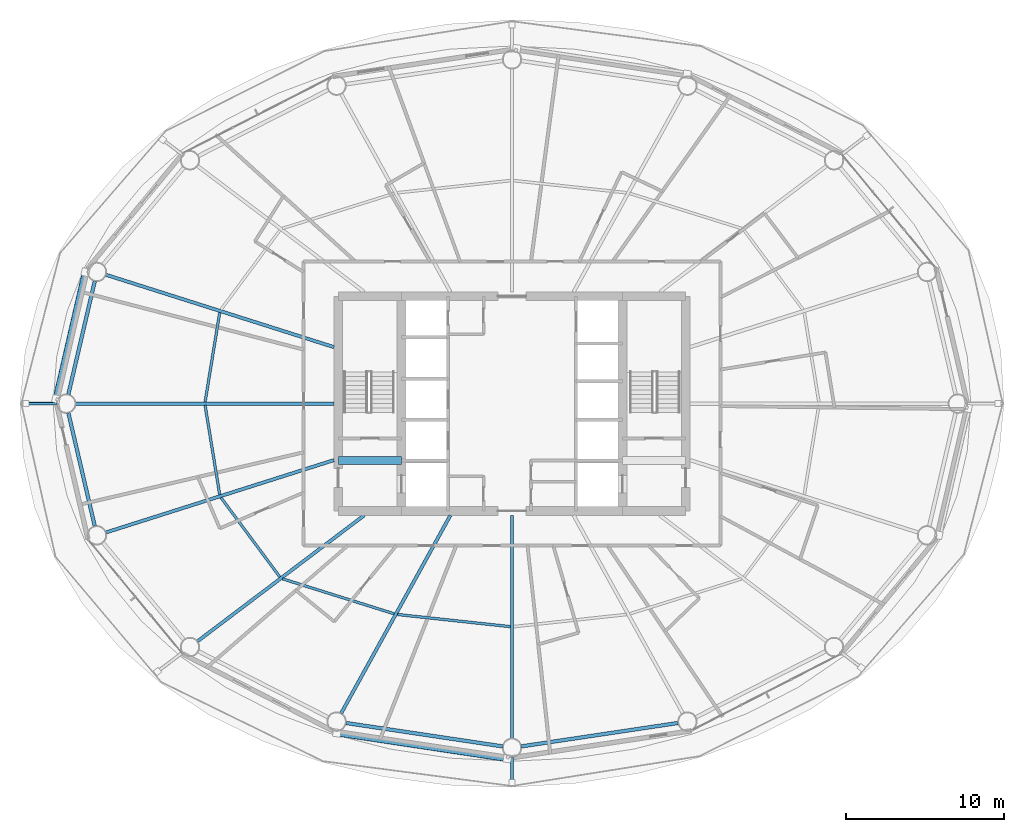
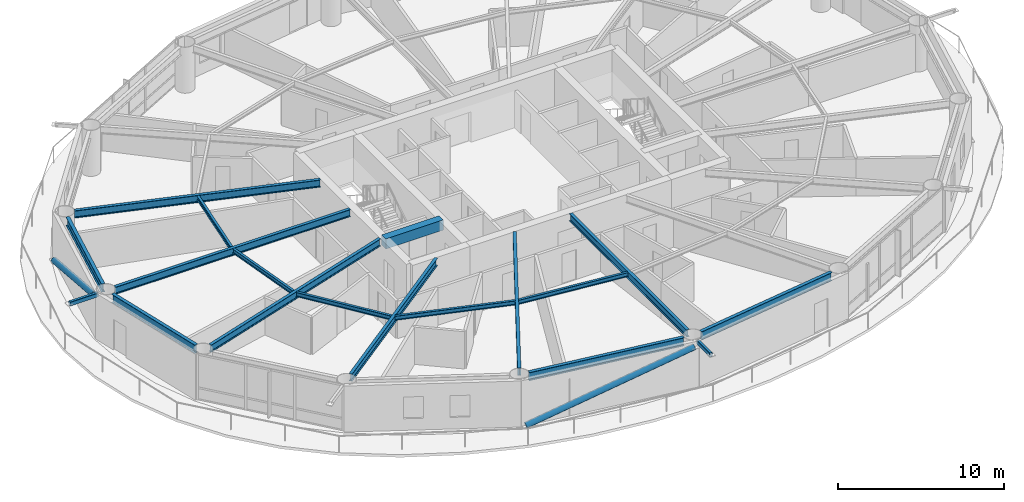
# One storey, part 3 of 24: 16 beams, 4 members.
"""IFC4 building model written with IfcOpenShell, lengths in metres."""

from ifc_helpers import new_model, si_unit, direction, frame, origin, origin_2d, place, context, subcontext, project, spatial, rectangle, hollow_rectangle, hollow_circle, i_section, extrude, material, material_profile, profile_set, type_object, element, save


model = new_model("IFC4")

# Units and contexts
model_context = context("Model", 3, precision=1e-05, world=origin(), true_north=direction((0.0, 1.0)))
body_context = subcontext(model_context, "Body", "Model", "MODEL_VIEW")
ifc_project = project(units=[si_unit("LENGTHUNIT", "METRE"), si_unit("AREAUNIT", "SQUARE_METRE"), si_unit("VOLUMEUNIT", "CUBIC_METRE"), si_unit("PLANEANGLEUNIT", "RADIAN"), si_unit("MASSUNIT", "GRAM", prefix="KILO")], contexts=[model_context])

# Site, building, storey
site_placement = place(None, origin())
site = spatial("IfcSite", under=ifc_project, at=site_placement, CompositionType="ELEMENT")
building_placement = place(site_placement, origin())
building = spatial("IfcBuilding", under=site, at=building_placement, Name="Sarneth Arch Tower", CompositionType="ELEMENT")
storey_placement = place(building_placement, frame((0.0, 0.0, 112.800048828125)))
storey = spatial("IfcBuildingStorey", under=building, at=storey_placement, Name="L28", CompositionType="ELEMENT", Elevation=112.800048828125)

# Beams
ifc_material_1 = material(Name="Steel S355", Category="steel")
ifc_material_profile_1 = material_profile(ifc_material_1, i_section(OverallWidth=0.1669921875, OverallDepth=0.31689453125, WebThickness=0.007568359375, FlangeThickness=0.01318359375, FilletRadius=0.012939453125, at=origin_2d()), Name="W310x52")
ifc_profile_set_1 = profile_set([ifc_material_profile_1], Name="Steel S355")
beam_type_1 = type_object("IfcBeamType", Name="BM-JOIST-310B", PredefinedType="JOIST", material=ifc_profile_set_1)
for number, where, z_axis, x_axis, name in (
    (1, (29.48583984375, 47.76513671875, 3.221435546875), (-0.16118181609, -0.986924729735, 0.0), (0.986924729735, -0.16118181609, 0.0), "L28 Secondary floor joist 08"),
    (2, (28.561279296875, 41.89599609375, 3.221435546875), (0.16118181609, -0.986924729735, 0.0), (0.986924729735, 0.16118181609, 0.0), "L28 Secondary floor joist 09"),
):
    element("IfcBeam", number, at=place(storey_placement, frame(where, z_axis=z_axis, x_axis=x_axis)), inside=storey, type_object=beam_type_1, Name=name, PredefinedType="JOIST", context=body_context, shape_type="SweptSolid", body=[
        extrude(i_section(OverallWidth=0.1669921875, OverallDepth=0.31689453125, WebThickness=0.007568359375, FlangeThickness=0.01318359375, FilletRadius=0.012939453125, at=origin_2d()), origin(), (0.0, 0.0, 1.0), 5.736083984375),
    ])
beam_1_placement = place(storey_placement, frame((29.565673828125, 36.0458984375, 3.221435546875), z_axis=(0.596098474255, -0.802911333206, 0.0), x_axis=(0.802911333206, 0.596098474255, 0.0)))
element("IfcBeam", 3, at=beam_1_placement, inside=storey, type_object=beam_type_1, Name="L28 Secondary floor joist 10", PredefinedType="JOIST", context=body_context, shape_type="SweptSolid", body=[
    extrude(i_section(OverallWidth=0.1669921875, OverallDepth=0.31689453125, WebThickness=0.007568359375, FlangeThickness=0.01318359375, FilletRadius=0.012939453125, at=origin_2d()), origin(), (0.0, 0.0, 1.0), 6.259033203125),
])
beam_2_placement = place(storey_placement, frame((33.460205078125, 30.904296875, 3.221435546875), z_axis=(0.954245982384, -0.299022750146, 0.0), x_axis=(0.299022750146, 0.954245982384, 0.0)))
element("IfcBeam", 4, at=beam_2_placement, inside=storey, type_object=beam_type_1, Name="L28 Secondary floor joist 11", PredefinedType="JOIST", context=body_context, shape_type="SweptSolid", body=[
    extrude(i_section(OverallWidth=0.1669921875, OverallDepth=0.31689453125, WebThickness=0.007568359375, FlangeThickness=0.01318359375, FilletRadius=0.012939453125, at=origin_2d()), origin(), (0.0, 0.0, 1.0), 7.416748046875),
])
beam_3_placement = place(storey_placement, frame((40.7431640625, 28.6435546875, 3.221435546875), z_axis=(0.994257420028, -0.107014871487, 0.0), x_axis=(0.107014871487, 0.994257420028, 0.0)))
element("IfcBeam", 5, at=beam_3_placement, inside=storey, type_object=beam_type_1, Name="L28 Secondary floor joist 12", PredefinedType="JOIST", context=body_context, shape_type="SweptSolid", body=[
    extrude(i_section(OverallWidth=0.1669921875, OverallDepth=0.31689453125, WebThickness=0.007568359375, FlangeThickness=0.01318359375, FilletRadius=0.012939453125, at=origin_2d()), origin(), (0.0, 0.0, 1.0), 7.193115234375),
])
ifc_material_2 = material(Name="Concrete C50/60", Category="concrete")
ifc_material_profile_2 = material_profile(ifc_material_2, rectangle(XDim=0.5, YDim=0.75, at=origin_2d()), Name="RC-500x750")
ifc_profile_set_2 = profile_set([ifc_material_profile_2], Name="Concrete C50/60")
beam_type_2 = type_object("IfcBeamType", Name="BM-LINTEL-RC", PredefinedType="LINTEL", material=ifc_profile_set_2)
beam_4_placement = place(storey_placement, frame((37.0, 38.39990234375, 3.0048828125), z_axis=(1.0, 0.0, 0.0), x_axis=(0.0, 1.0, 0.0)))
element("IfcBeam", 6, at=beam_4_placement, inside=storey, type_object=beam_type_2, Name="L28 Core coupling lintel W", PredefinedType="LINTEL", context=body_context, shape_type="SweptSolid", body=[
    extrude(rectangle(XDim=0.5, YDim=0.75, at=origin_2d()), origin(), (0.0, 0.0, 1.0), 4.0),
])
ifc_material_3 = material(Name="Steel S355", Category="steel")
ifc_material_profile_3 = material_profile(ifc_material_3, i_section(OverallWidth=0.2109375, OverallDepth=0.5390625, WebThickness=0.01171875, FlangeThickness=0.018798828125, FilletRadius=0.01806640625, at=origin_2d()), Name="W530x109")
ifc_profile_set_3 = profile_set([ifc_material_profile_3], Name="Steel S355")
beam_type_3 = type_object("IfcBeamType", Name="BM-RAD-530B", PredefinedType="BEAM", material=ifc_profile_set_3)
beam_5_placement = place(storey_placement, frame((36.72509765625, 45.57763671875, 3.1103515625), z_axis=(-0.953162461637, 0.302458793435, 0.0), x_axis=(-0.302458793435, -0.953162461637, 0.0)))
element("IfcBeam", 7, at=beam_5_placement, inside=storey, type_object=beam_type_3, Name="L28 Radial floor girder 08", PredefinedType="BEAM", context=body_context, shape_type="SweptSolid", body=[
    extrude(i_section(OverallWidth=0.2109375, OverallDepth=0.5390625, WebThickness=0.01171875, FlangeThickness=0.018798828125, FilletRadius=0.01806640625, at=origin_2d()), origin(), (0.0, 0.0, 1.0), 15.154052734375),
])
beam_6_placement = place(storey_placement, frame((36.72509765625, 42.0, 3.1103515625), z_axis=(-1.0, 0.0, 0.0), x_axis=(0.0, -1.0, 0.0)))
element("IfcBeam", 8, at=beam_6_placement, inside=storey, type_object=beam_type_3, Name="L28 Radial floor girder 09", PredefinedType="BEAM", context=body_context, shape_type="SweptSolid", body=[
    extrude(i_section(OverallWidth=0.2109375, OverallDepth=0.5390625, WebThickness=0.01171875, FlangeThickness=0.018798828125, FilletRadius=0.01806640625, at=origin_2d()), origin(), (0.0, 0.0, 1.0), 16.36181640625),
])
beam_7_placement = place(storey_placement, frame((36.72509765625, 38.42236328125, 3.1103515625), z_axis=(-0.953162461637, -0.302458793435, 0.0), x_axis=(0.302458793435, -0.953162461637, 0.0)))
element("IfcBeam", 9, at=beam_7_placement, inside=storey, type_object=beam_type_3, Name="L28 Radial floor girder 10", PredefinedType="BEAM", context=body_context, shape_type="SweptSolid", body=[
    extrude(i_section(OverallWidth=0.2109375, OverallDepth=0.5390625, WebThickness=0.01171875, FlangeThickness=0.018798828125, FilletRadius=0.01806640625, at=origin_2d()), origin(), (0.0, 0.0, 1.0), 15.154052734375),
])
beam_8_placement = place(storey_placement, frame((38.63818359375, 34.925048828125, 3.1103515625), z_axis=(-0.797802835234, -0.602918432371, 0.0), x_axis=(0.602918432371, -0.797802835234, 0.0)))
element("IfcBeam", 10, at=beam_8_placement, inside=storey, type_object=beam_type_3, Name="L28 Radial floor girder 11", PredefinedType="BEAM", context=body_context, shape_type="SweptSolid", body=[
    extrude(i_section(OverallWidth=0.2109375, OverallDepth=0.5390625, WebThickness=0.01171875, FlangeThickness=0.018798828125, FilletRadius=0.01806640625, at=origin_2d()), origin(), (0.0, 0.0, 1.0), 13.232666015625),
])
beam_9_placement = place(storey_placement, frame((44.09716796875, 34.925048828125, 3.1103515625), z_axis=(-0.483021011336, -0.875608761153, 0.0), x_axis=(0.875608761153, -0.483021011336, 0.0)))
element("IfcBeam", 11, at=beam_9_placement, inside=storey, type_object=beam_type_3, Name="L28 Radial floor girder 12", PredefinedType="BEAM", context=body_context, shape_type="SweptSolid", body=[
    extrude(i_section(OverallWidth=0.2109375, OverallDepth=0.5390625, WebThickness=0.01171875, FlangeThickness=0.018798828125, FilletRadius=0.01806640625, at=origin_2d()), origin(), (0.0, 0.0, 1.0), 14.32177734375),
])
beam_10_placement = place(storey_placement, frame((48.0, 34.925048828125, 3.1103515625), z_axis=(0.0, -1.0, 0.0), x_axis=(1.0, 0.0, 0.0)))
element("IfcBeam", 12, at=beam_10_placement, inside=storey, type_object=beam_type_3, Name="L28 Radial floor girder 13", PredefinedType="BEAM", context=body_context, shape_type="SweptSolid", body=[
    extrude(i_section(OverallWidth=0.2109375, OverallDepth=0.5390625, WebThickness=0.01171875, FlangeThickness=0.018798828125, FilletRadius=0.01806640625, at=origin_2d()), origin(), (0.0, 0.0, 1.0), 14.125),
])
ifc_material_4 = material(Name="Steel S355", Category="steel")
ifc_material_profile_4 = material_profile(ifc_material_4, i_section(OverallWidth=0.22900390625, OverallDepth=0.612060546875, WebThickness=0.011962890625, FlangeThickness=0.01953125, FilletRadius=0.01904296875, at=origin_2d()), Name="W610x125")
ifc_profile_set_4 = profile_set([ifc_material_profile_4], Name="Steel S355")
beam_type_4 = type_object("IfcBeamType", Name="BM-SPAN-610C", PredefinedType="SPANDREL", material=ifc_profile_set_4)
for number, where, z_axis, x_axis, name in (
    (13, (21.572509765625, 49.75830078125, 3.073974609375), (-0.227088175252, -0.973874201661, 0.0), (0.973874201661, -0.227088175252, 0.0), "L28 Perimeter spandrel beam 08"),
    (14, (19.899658203125, 41.415771484375, 3.073974609375), (0.227088175252, -0.973874201661, 0.0), (0.973874201661, 0.227088175252, 0.0), "L28 Perimeter spandrel beam 09"),
):
    element("IfcBeam", number, at=place(storey_placement, frame(where, z_axis=z_axis, x_axis=x_axis)), inside=storey, type_object=beam_type_4, Name=name, PredefinedType="SPANDREL", context=body_context, shape_type="SweptSolid", body=[
        extrude(i_section(OverallWidth=0.22900390625, OverallDepth=0.612060546875, WebThickness=0.011962890625, FlangeThickness=0.01953125, FilletRadius=0.01904296875, at=origin_2d()), origin(), (0.0, 0.0, 1.0), 7.366455078125),
    ])
for number, where, z_axis, x_axis, name in (
    (15, (37.483154296875, 21.770751953125, 3.073974609375), (0.989028613319, -0.147724073992, 0.0), (0.147724073992, 0.989028613319, 0.0), "L28 Perimeter spandrel beam 12"),
    (16, (48.593505859375, 20.28857421875, 3.073974609375), (0.989028613319, 0.147724073992, 0.0), (-0.147724073992, 0.989028613319, 0.0), "L28 Perimeter spandrel beam 13"),
):
    element("IfcBeam", number, at=place(storey_placement, frame(where, z_axis=z_axis, x_axis=x_axis)), inside=storey, type_object=beam_type_4, Name=name, PredefinedType="SPANDREL", context=body_context, shape_type="SweptSolid", body=[
        extrude(i_section(OverallWidth=0.22900390625, OverallDepth=0.612060546875, WebThickness=0.011962890625, FlangeThickness=0.01953125, FilletRadius=0.01904296875, at=origin_2d()), origin(), (0.0, 0.0, 1.0), 10.033447265625),
    ])

# Members
ifc_material_5 = material(Name="Steel S355", Category="steel")
ifc_material_profile_5 = material_profile(ifc_material_5, hollow_rectangle(XDim=0.199951171875, YDim=0.300048828125, WallThickness=0.012451171875, InnerFilletRadius=0.018798828125, OuterFilletRadius=0.03125, at=origin_2d()), Name="RHS300x200x12.5")
ifc_profile_set_5 = profile_set([ifc_material_profile_5], Name="Steel S355")
member_type_1 = type_object("IfcMemberType", Name="MEM-CANT-STRUT", PredefinedType="STRUT", material=ifc_profile_set_5)
member_1_placement = place(storey_placement, frame((19.163330078125, 42.0, 3.219970703125), z_axis=(-1.0, 0.0, 0.0), x_axis=(0.0, -1.0, 0.0)))
element("IfcMember", 17, at=member_1_placement, inside=storey, type_object=member_type_1, Name="L28 Balcony cantilever bracket 09", PredefinedType="STRUT", context=body_context, shape_type="SweptSolid", body=[
    extrude(hollow_rectangle(XDim=0.199951171875, YDim=0.300048828125, WallThickness=0.012451171875, InnerFilletRadius=0.018798828125, OuterFilletRadius=0.03125, at=origin_2d()), origin(), (0.0, 0.0, 1.0), 1.958984375),
])
member_2_placement = place(storey_placement, frame((48.0, 19.60009765625, 3.219970703125), z_axis=(0.0, -1.0, 0.0), x_axis=(1.0, 0.0, 0.0)))
element("IfcMember", 18, at=member_2_placement, inside=storey, type_object=member_type_1, Name="L28 Balcony cantilever bracket 13", PredefinedType="STRUT", context=body_context, shape_type="SweptSolid", body=[
    extrude(hollow_rectangle(XDim=0.199951171875, YDim=0.300048828125, WallThickness=0.012451171875, InnerFilletRadius=0.018798828125, OuterFilletRadius=0.03125, at=origin_2d()), origin(), (0.0, 0.0, 1.0), 1.591064453125),
])
ifc_material_6 = material(Name="Steel S355", Category="steel")
ifc_material_profile_6 = material_profile(ifc_material_6, hollow_circle(Radius=0.202880859375, WallThickness=0.01611328125, at=origin_2d()), Name="CHS406x16")
ifc_profile_set_6 = profile_set([ifc_material_profile_6], Name="Steel S355")
member_type_2 = type_object("IfcMemberType", Name="MEM-DIAG-BR2", PredefinedType="BRACE", material=ifc_profile_set_6)
member_3_placement = place(storey_placement, frame((20.98046875, 50.32958984375, 0.02001953125), z_axis=(-0.211851767223, -0.915872886243, 0.341021531532), x_axis=(0.974275349464, -0.225360918143, 0.0)))
element("IfcMember", 19, at=member_3_placement, inside=storey, type_object=member_type_2, Name="L28 Perimeter frame diagonal 08", PredefinedType="BRACE", context=body_context, shape_type="SweptSolid", body=[
    extrude(hollow_circle(Radius=0.202880859375, WallThickness=0.01611328125, at=origin_2d()), origin(), (0.0, 0.0, 1.0), 8.775634765625),
])
member_4_placement = place(storey_placement, frame((36.9072265625, 21.140380859375, 0.02001953125), z_axis=(0.95367294778, -0.14360842494, 0.264356821282), x_axis=(0.148905755657, 0.988851392239, 0.0)))
element("IfcMember", 20, at=member_4_placement, inside=storey, type_object=member_type_2, Name="L28 Perimeter frame diagonal 12", PredefinedType="BRACE", context=body_context, shape_type="SweptSolid", body=[
    extrude(hollow_circle(Radius=0.202880859375, WallThickness=0.01611328125, at=origin_2d()), origin(), (0.0, 0.0, 1.0), 11.320556640625),
])

save(model, "model.ifc")
